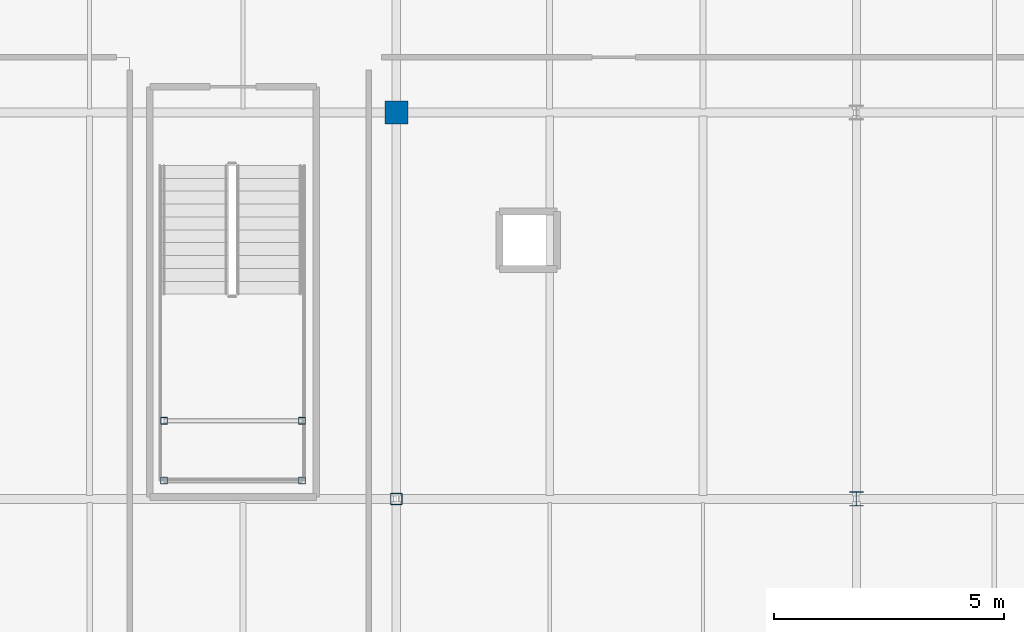
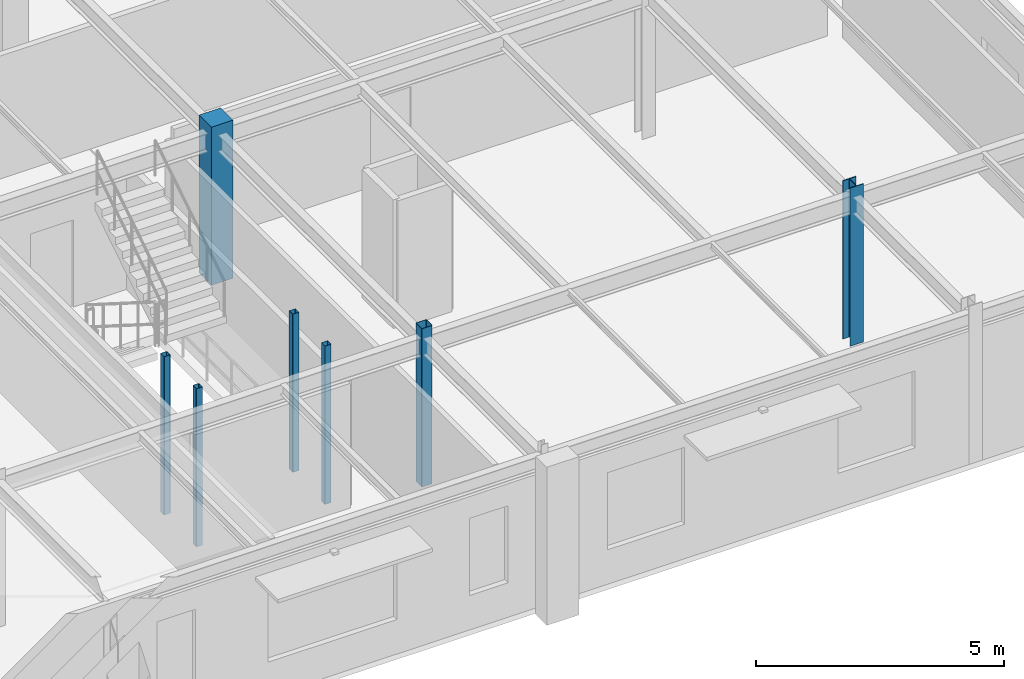
# One storey, part 33 of 98: 7 columns.
"""IFC4 building model written with IfcOpenShell, lengths in metres."""

from ifc_helpers import new_model, si_unit, derived_unit, direction, frame, origin, origin_2d_with_axis, place, context, subcontext, project, spatial, rectangle, hollow_rectangle, i_section, extrude, material, material_profile, profile_set, type_object, element, save


model = new_model("IFC4")

# Units and contexts
model_context = context("Model", 3, precision=1e-05, world=origin(), true_north=direction((0.0, 1.0)))
body_context = subcontext(model_context, "Body", "Model", "MODEL_VIEW")
ifc_project = project(units=[si_unit("LENGTHUNIT", "METRE"), si_unit("AREAUNIT", "SQUARE_METRE"), si_unit("VOLUMEUNIT", "CUBIC_METRE"), si_unit("PLANEANGLEUNIT", "RADIAN"), si_unit("MASSUNIT", "GRAM", prefix="KILO"), derived_unit("THERMALTRANSMITTANCEUNIT", [(si_unit("POWERUNIT", "WATT"), 1), (si_unit("LENGTHUNIT", "METRE"), -2), (si_unit("THERMODYNAMICTEMPERATUREUNIT", "KELVIN"), -1)])], contexts=[model_context])

# Site, building, storey
site_placement = place(None, origin())
site = spatial("IfcSite", under=ifc_project, at=site_placement, CompositionType="ELEMENT")
building_placement = place(site_placement, origin())
building = spatial("IfcBuilding", under=site, at=building_placement, Name="Cinnabar Yard Market Hall", CompositionType="ELEMENT")
storey_placement = place(building_placement, frame((0.0, 0.0, 4.5)))
storey = spatial("IfcBuildingStorey", under=building, at=storey_placement, Name="L01", CompositionType="ELEMENT", Elevation=4.5)

# Columns
ifc_material_1 = material(Name="Steel Grade 300 (300 MPa)", Category="steel")
ifc_material_profile_1 = material_profile(ifc_material_1, i_section(OverallWidth=0.307373046875, OverallDepth=0.314697265625, WebThickness=0.011962890625, FlangeThickness=0.018798828125, FilletRadius=0.0166015625, at=origin_2d_with_axis()), Name="310UC118")
ifc_profile_set_1 = profile_set([ifc_material_profile_1], Name="Steel Grade 300 (300 MPa)")
column_type_1 = type_object("IfcColumnType", Name="COL-C08", PredefinedType="COLUMN", material=ifc_profile_set_1)
column_1_placement = place(storey_placement, frame((156.0, 112.800048828125, 0.0), z_axis=(0.0, 0.0, 1.0), x_axis=(1.0, 0.0, 0.0)))
element("IfcColumn", 1, at=column_1_placement, inside=storey, type_object=column_type_1, Name="Wing Column V3-10-02 L01", PredefinedType="COLUMN", context=body_context, shape_type="SweptSolid", body=[
    extrude(i_section(OverallWidth=0.307373046875, OverallDepth=0.314697265625, WebThickness=0.011962890625, FlangeThickness=0.018798828125, FilletRadius=0.0166015625, at=origin_2d_with_axis()), origin(), (0.0, 0.0, 1.0), 3.89990234375),
])
ifc_material_2 = material(Name="Cold-formed steel C350L0", Category="steel")
ifc_material_profile_2 = material_profile(ifc_material_2, hollow_rectangle(XDim=0.14990234375, YDim=0.14990234375, WallThickness=0.006103515625, InnerFilletRadius=0.006103515625, OuterFilletRadius=0.011962890625, at=origin_2d_with_axis()), Name="150x150x6.0SHS")
ifc_profile_set_2 = profile_set([ifc_material_profile_2], Name="Cold-formed steel C350L0")
column_type_2 = type_object("IfcColumnType", Name="COL-C16", PredefinedType="COLUMN", material=ifc_profile_set_2)
for number, where, z_axis, x_axis, name in (
    (2, (140.949951171875, 113.199951171875, 0.0), (0.0, 0.0, 1.0), (1.0, 0.0, 0.0), "Feature Stair Post ST-F6-1 L01"),
    (3, (143.949951171875, 113.199951171875, 0.0), (0.0, 0.0, 1.0), (1.0, 0.0, 0.0), "Feature Stair Post ST-F6-2 L01"),
    (4, (140.949951171875, 114.5, 0.0), (0.0, 0.0, 1.0), (1.0, 0.0, 0.0), "Feature Stair Post ST-F6-3 L01"),
    (5, (143.949951171875, 114.5, 0.0), (0.0, 0.0, 1.0), (1.0, 0.0, 0.0), "Feature Stair Post ST-F6-4 L01"),
):
    element("IfcColumn", number, at=place(storey_placement, frame(where, z_axis=z_axis, x_axis=x_axis)), inside=storey, type_object=column_type_2, Name=name, PredefinedType="COLUMN", context=body_context, shape_type="SweptSolid", body=[
        extrude(hollow_rectangle(XDim=0.14990234375, YDim=0.14990234375, WallThickness=0.006103515625, InnerFilletRadius=0.006103515625, OuterFilletRadius=0.011962890625, at=origin_2d_with_axis()), origin(), (0.0, 0.0, 1.0), 3.89990234375),
    ])
ifc_material_profile_3 = material_profile(ifc_material_2, hollow_rectangle(XDim=0.25, YDim=0.25, WallThickness=0.009033203125, InnerFilletRadius=0.009033203125, OuterFilletRadius=0.01806640625, at=origin_2d_with_axis()), Name="250x250x9.0SHS")
ifc_profile_set_3 = profile_set([ifc_material_profile_3], Name="Cold-formed steel C350L0")
column_type_3 = type_object("IfcColumnType", Name="COL-C20", PredefinedType="COLUMN", material=ifc_profile_set_3)
column_2_placement = place(storey_placement, frame((146.0, 112.800048828125, 0.0), z_axis=(0.0, 0.0, 1.0), x_axis=(1.0, 0.0, 0.0)))
element("IfcColumn", 6, at=column_2_placement, inside=storey, type_object=column_type_3, Name="Wing Column V3-09-02 L01", PredefinedType="COLUMN", context=body_context, shape_type="SweptSolid", body=[
    extrude(hollow_rectangle(XDim=0.25, YDim=0.25, WallThickness=0.009033203125, InnerFilletRadius=0.009033203125, OuterFilletRadius=0.01806640625, at=origin_2d_with_axis()), origin(), (0.0, 0.0, 1.0), 3.89990234375),
])
ifc_material_3 = material(Name="Concrete 40 MPa", Category="concrete")
ifc_material_profile_4 = material_profile(ifc_material_3, rectangle(XDim=0.5, YDim=0.5, at=origin_2d_with_axis()), Name="RC-500x500")
ifc_profile_set_4 = profile_set([ifc_material_profile_4], Name="Concrete 40 MPa")
column_type_4 = type_object("IfcColumnType", Name="COL-RC1", PredefinedType="COLUMN", material=ifc_profile_set_4)
column_3_placement = place(storey_placement, frame((146.0, 121.199951171875, 0.0), z_axis=(0.0, 0.0, 1.0), x_axis=(1.0, 0.0, 0.0)))
element("IfcColumn", 7, at=column_3_placement, inside=storey, type_object=column_type_4, Name="Wing Column V3-09-03 L01", PredefinedType="COLUMN", context=body_context, shape_type="SweptSolid", body=[
    extrude(rectangle(XDim=0.5, YDim=0.5, at=origin_2d_with_axis()), origin(), (0.0, 0.0, 1.0), 3.89990234375),
])

save(model, "model.ifc")
